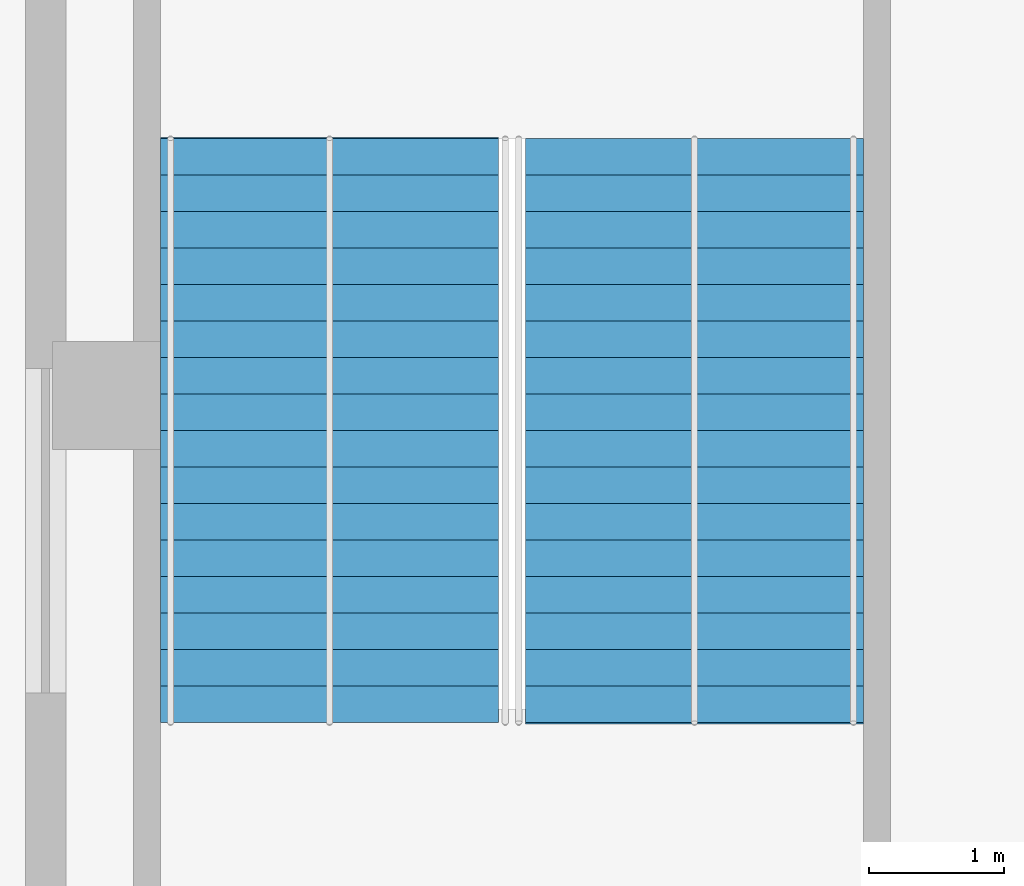
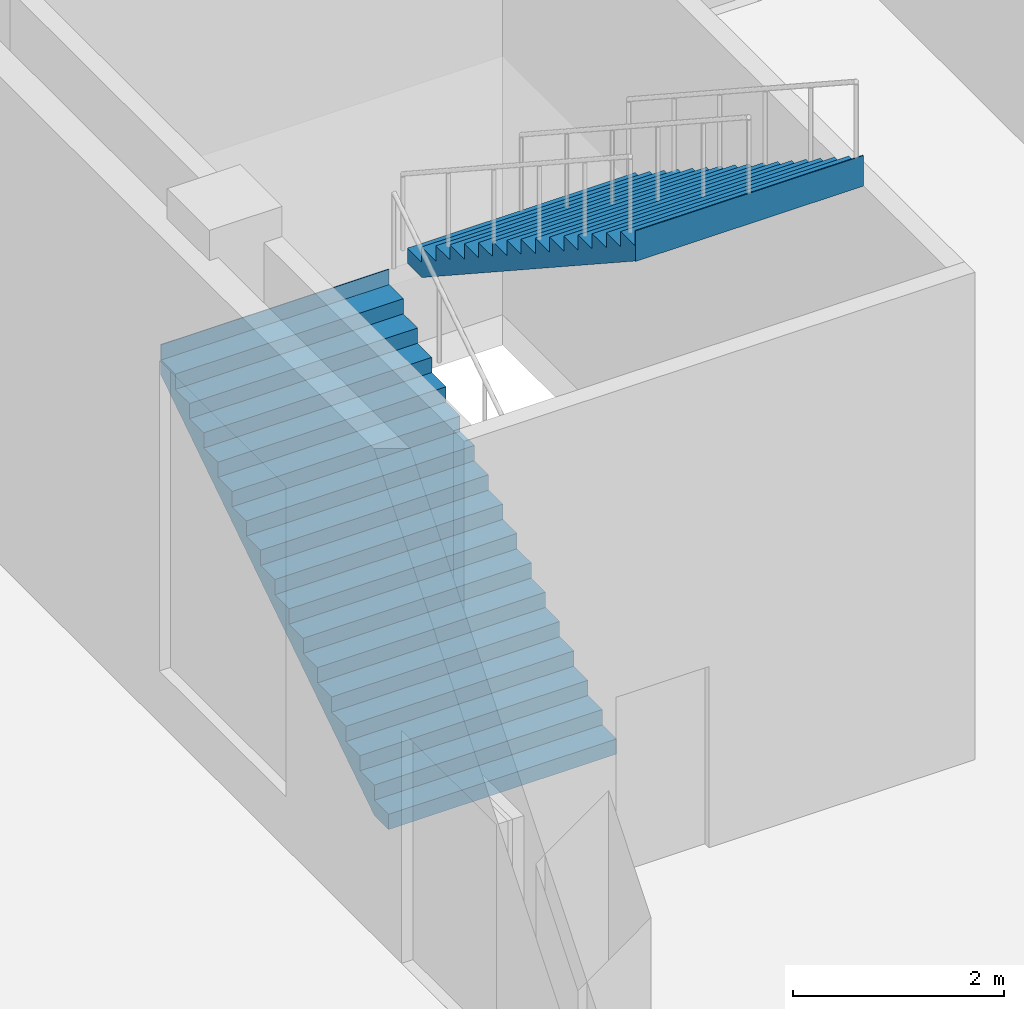
# One storey, part 6 of 8: 2 stair flights, 1 element without a shape of its own.
"""IFC4 building model written with IfcOpenShell, lengths in metres."""

import ifcopenshell
import ifcopenshell.guid

model = None  # the IFC model being written
_history = None  # IfcOwnerHistory: only IFC2X3 demands one
_inside = {}  # id of a spatial element -> (the spatial element, [elements in it])
_under = {}  # id of a project, library or spatial element -> (it, [spatial elements below it])
_declared = {}  # id of a project -> (the project, [libraries it declares])
_typed = {}  # id of a type object -> (the type object, [elements of that type])
_made_of = {}  # id of a material, layer set ... -> (it, [elements and type objects made of it])


def new_model(schema):
    """Start an empty IFC model of exactly this schema.

    Asked for "IFC4X3", IfcOpenShell would pick the latest addendum, in which some entities
    have other attributes; the version numbers below select the first issue.
    IFC2X3 requires an IfcOwnerHistory on every rooted entity: one is made here for all.
    """
    global model, _history
    if schema == "IFC4X3":
        model = ifcopenshell.file(schema_version=(4, 3, 0, 0))
    else:
        model = ifcopenshell.file(schema=schema)
    _inside.clear()
    _under.clear()
    _declared.clear()
    _typed.clear()
    _made_of.clear()
    _history = None
    if model.schema == "IFC2X3":
        org = make("IfcOrganization", Name="unknown")
        user = make(
            "IfcPersonAndOrganization",
            ThePerson=make("IfcPerson", FamilyName="unknown"),
            TheOrganization=org,
        )
        app = make(
            "IfcApplication",
            ApplicationDeveloper=org,
            Version="unknown",
            ApplicationFullName="unknown",
            ApplicationIdentifier="unknown",
        )
        _history = make(
            "IfcOwnerHistory",
            OwningUser=user,
            OwningApplication=app,
            ChangeAction="ADDED",
            CreationDate=0,
        )
    return model


def make(cls, **values):
    """One entity of the class cls with the attributes given. An attribute that is None is left unset."""
    return model.create_entity(
        cls, **{name: value for name, value in values.items() if value is not None}
    )


def rooted(cls, **values):
    """An entity with a GlobalId (a new one), such as an element, a storey or a relation."""
    return make(cls, GlobalId=ifcopenshell.guid.new(), OwnerHistory=_history, **values)


def si_unit(unit_type, name, prefix=None):
    """IfcSIUnit, for example si_unit("LENGTHUNIT", "METRE", prefix="MILLI")."""
    return make("IfcSIUnit", UnitType=unit_type, Prefix=prefix, Name=name)


def assignment(units):
    """IfcUnitAssignment: the units of a project."""
    return None if units is None else make("IfcUnitAssignment", Units=units)


def point(xyz):
    """IfcCartesianPoint."""
    return None if xyz is None else make("IfcCartesianPoint", Coordinates=xyz)


def direction(xyz):
    """IfcDirection."""
    return None if xyz is None else make("IfcDirection", DirectionRatios=xyz)


def frame(location, z_axis=None, x_axis=None):
    """IfcAxis2Placement3D, a coordinate frame: its origin and axes. An axis left out is left unset."""
    return make(
        "IfcAxis2Placement3D",
        Location=point(location),
        Axis=direction(z_axis),
        RefDirection=direction(x_axis),
    )


def origin():
    """The frame at (0, 0, 0) with its axes left unset."""
    return frame((0.0, 0.0, 0.0))


def place(relative_to, where):
    """IfcLocalPlacement: puts the frame where relative to a parent placement (None: the world)."""
    return make(
        "IfcLocalPlacement", PlacementRelTo=relative_to, RelativePlacement=where
    )


def context(
    kind, dimensions, precision=None, world=None, true_north=None, identifier=None
):
    """IfcGeometricRepresentationContext, for example the 3D "Model" context."""
    return make(
        "IfcGeometricRepresentationContext",
        ContextIdentifier=identifier,
        ContextType=kind,
        CoordinateSpaceDimension=dimensions,
        Precision=precision,
        WorldCoordinateSystem=world,
        TrueNorth=true_north,
    )


def subcontext(parent, identifier, kind, view, scale=None):
    """IfcGeometricRepresentationSubContext, for example "Body" below "Model"."""
    return make(
        "IfcGeometricRepresentationSubContext",
        ContextIdentifier=identifier,
        ContextType=kind,
        ParentContext=parent,
        TargetScale=scale,
        TargetView=view,
    )


def project(units=None, contexts=None):
    """IfcProject with its units and contexts."""
    return rooted(
        "IfcProject",
        Name="project",
        RepresentationContexts=contexts,
        UnitsInContext=assignment(units),
    )


def spatial(cls, under=None, at=None, **own):
    """A site, building, storey or space (cls), placed at a placement, below another one or the project."""
    s = rooted(cls, ObjectPlacement=at, **own)
    if under is not None:
        _under.setdefault(under.id(), (under, []))[1].append(s)
    return s


def faces_of(points, faces, orient=None, outer=None):
    """IfcFace entities. A face is a list of loops; a loop is a list of indices into points, from 0.

    orient and outer hold one flag for each loop. By default every Orientation is true, the
    first loop of a face is its IfcFaceOuterBound and the others are IfcFaceBound.
    """
    made = []
    for i, loops in enumerate(faces):
        bounds = []
        for j, loop in enumerate(loops):
            is_outer = j == 0 if outer is None else outer[i][j]
            bounds.append(
                make(
                    "IfcFaceOuterBound" if is_outer else "IfcFaceBound",
                    Bound=make("IfcPolyLoop", Polygon=[points[k] for k in loop]),
                    Orientation=True if orient is None else orient[i][j],
                )
            )
        made.append(make("IfcFace", Bounds=bounds))
    return made


def faceted_brep(points, faces, orient=None, outer=None, voids=None):
    """IfcFacetedBrep: a solid bounded by flat faces; with voids (closed shells), ...WithVoids."""
    shared = [point(p) for p in points]
    hull = make("IfcClosedShell", CfsFaces=faces_of(shared, faces, orient, outer))
    if voids is None:
        return make("IfcFacetedBrep", Outer=hull)
    return make(
        "IfcFacetedBrepWithVoids",
        Outer=hull,
        Voids=[
            make(cls, CfsFaces=faces_of(shared, fs, o, b)) for cls, fs, o, b in voids
        ],
    )


def shape(context_of_items, identifier, shape_type, items):
    """IfcShapeRepresentation: the items that make up one representation, for example the "Body"."""
    return make(
        "IfcShapeRepresentation",
        ContextOfItems=context_of_items,
        RepresentationIdentifier=identifier,
        RepresentationType=shape_type,
        Items=items,
    )


def material(Name=None, Category=None):
    """IfcMaterial."""
    return make("IfcMaterial", Name=Name, Category=Category)


def made_of(thing, what):
    """Note that an element or type object is made of a material, layer set ...; save() writes the relation."""
    if what is not None:
        _made_of.setdefault(what.id(), (what, []))[1].append(thing)
    return thing


def type_object(cls, material=None, **own):
    """A type object (cls), such as IfcWallType, which elements share."""
    return made_of(rooted(cls, **own), material)


def element(
    cls,
    number,
    at=None,
    inside=None,
    cuts=None,
    type_object=None,
    material=None,
    context=None,
    identifier="Body",
    shape_type=None,
    held_by="IfcProductDefinitionShape",
    body=None,
    shapes=None,
    **own,
):
    """One element of the class cls, such as IfcWall. Its Tag is "e" and its number.

    at: its placement. inside: the storey or other place that contains it. cuts: it is an
    opening in that element (IfcRelVoidsElement). A single representation is given by context,
    identifier, shape_type and body (its items); several are given by shapes. held_by: the class
    of the entity that holds the representations. save() writes the other relations.
    """
    e = rooted(cls, Tag="e%d" % number, ObjectPlacement=at, **own)
    if body is not None:
        shapes = [shape(context, identifier, shape_type, body)]
    if shapes is not None:
        e.Representation = make(held_by, Representations=shapes)
    if inside is not None:
        _inside.setdefault(inside.id(), (inside, []))[1].append(e)
    if cuts is not None:
        rooted(
            "IfcRelVoidsElement", RelatingBuildingElement=cuts, RelatedOpeningElement=e
        )
    if type_object is not None:
        _typed.setdefault(type_object.id(), (type_object, []))[1].append(e)
    return made_of(e, material)


def aggregate(whole, parts):
    """IfcRelAggregates: a whole, such as a stair, and the parts it consists of."""
    return rooted("IfcRelAggregates", RelatingObject=whole, RelatedObjects=parts)


def save(model, path):
    """Write the relations noted so far, then the file.

    IfcRelAggregates (storeys below a building ...), IfcRelContainedInSpatialStructure (elements
    in a storey), IfcRelDefinesByType, IfcRelAssociatesMaterial and IfcRelDeclares: one each for
    every whole, place, type object, material and project.
    """
    for whole, parts in _under.values():
        aggregate(whole, parts)
    for where, things in _inside.values():
        rooted(
            "IfcRelContainedInSpatialStructure",
            RelatedElements=things,
            RelatingStructure=where,
        )
    for kind, things in _typed.values():
        rooted("IfcRelDefinesByType", RelatedObjects=things, RelatingType=kind)
    for what, things in _made_of.values():
        rooted("IfcRelAssociatesMaterial", RelatedObjects=things, RelatingMaterial=what)
    for by, libraries in _declared.values():
        rooted("IfcRelDeclares", RelatingContext=by, RelatedDefinitions=libraries)
    model.write(path)


model = new_model("IFC4")

# Units and contexts
model_context = context("Model", 3, precision=1e-05, world=origin(), true_north=direction((0.0, 1.0)))
body_context = subcontext(model_context, "Body", "Model", "MODEL_VIEW")
ifc_project = project(units=[si_unit("LENGTHUNIT", "METRE"), si_unit("AREAUNIT", "SQUARE_METRE"), si_unit("VOLUMEUNIT", "CUBIC_METRE"), si_unit("PLANEANGLEUNIT", "RADIAN"), si_unit("MASSUNIT", "GRAM", prefix="KILO")], contexts=[model_context])

# Site, building, storey
site_placement = place(None, origin())
site = spatial("IfcSite", under=ifc_project, at=site_placement, CompositionType="ELEMENT")
building_placement = place(site_placement, origin())
building = spatial("IfcBuilding", under=site, at=building_placement, Name="Torsade Residences", CompositionType="ELEMENT")
storey_placement = place(building_placement, origin())
storey = spatial("IfcBuildingStorey", under=building, at=storey_placement, Name="L00", CompositionType="ELEMENT", Elevation=0.0)

# Stair, stair flights
ifc_material_1 = material(Name="Concrete 40 MPa", Category="concrete")
stair_type = type_object("IfcStairType", Name="HALF-TURN PODIUM STAIR 2500x6000", PredefinedType="HALF_TURN_STAIR", material=ifc_material_1)
stair_placement = place(storey_placement, origin())
stair = element("IfcStair", 1, at=stair_placement, inside=storey, type_object=stair_type, Name="Stair ST3 L00", PredefinedType="HALF_TURN_STAIR")
ifc_material_2 = material(Name="Concrete 40 MPa", Category="concrete")
stair_flight_type = type_object("IfcStairFlightType", Name="PODIUM STAIR FLIGHT 2500x3000", PredefinedType="STRAIGHT", material=ifc_material_2)
stair_flight_1_placement = place(storey_placement, frame((4.25, 46.580078125, 0.0), z_axis=(0.0, 0.0, 1.0), x_axis=(0.0, 1.0, 0.0)))
stair_flight_1 = element("IfcStairFlight", 2, at=stair_flight_1_placement, type_object=stair_flight_type, Name="ST3 flight 1", NumberOfRisers=17, NumberOfTreads=16, PredefinedType="STRAIGHT", RiserHeight=0.176470588, TreadLength=0.27, context=body_context, shape_type="Brep", body=[
    faceted_brep([(0.0, 1.25, 0.0), (0.0, 1.25, 0.176513671875), (0.27001953125, 1.25, 0.176513671875), (0.27001953125, 1.25, 0.35302734375), (0.5400390625, 1.25, 0.35302734375), (0.5400390625, 1.25, 0.529296875), (0.81005859375, 1.25, 0.529296875), (0.81005859375, 1.25, 0.705810546875), (1.080078125, 1.25, 0.705810546875), (1.080078125, 1.25, 0.88232421875), (1.35009765625, 1.25, 0.88232421875), (1.35009765625, 1.25, 1.058837890625), (1.6201171875, 1.25, 1.058837890625), (1.6201171875, 1.25, 1.2353515625), (1.889892578125, 1.25, 1.2353515625), (1.889892578125, 1.25, 1.411865234375), (2.159912109375, 1.25, 1.411865234375), (2.159912109375, 1.25, 1.588134765625), (2.429931640625, 1.25, 1.588134765625), (2.429931640625, 1.25, 1.7646484375), (2.699951171875, 1.25, 1.7646484375), (2.699951171875, 1.25, 1.941162109375), (2.969970703125, 1.25, 1.941162109375), (2.969970703125, 1.25, 2.11767578125), (3.239990234375, 1.25, 2.11767578125), (3.239990234375, 1.25, 2.294189453125), (3.510009765625, 1.25, 2.294189453125), (3.510009765625, 1.25, 2.470703125), (3.780029296875, 1.25, 2.470703125), (3.780029296875, 1.25, 2.64697265625), (4.050048828125, 1.25, 2.64697265625), (4.050048828125, 1.25, 2.823486328125), (4.320068359375, 1.25, 2.823486328125), (4.320068359375, 1.25, 3.0), (4.330078125, 1.25, 3.0), (4.330078125, 1.25, 2.64453125), (4.320068359375, 1.25, 2.64453125), (0.27392578125, 1.25, 0.0), (0.27392578125, -1.25, 0.0), (4.320068359375, -1.25, 2.64453125), (4.330078125, -1.25, 2.64453125), (4.330078125, -1.25, 3.0), (4.320068359375, -1.25, 3.0), (4.320068359375, -1.25, 2.823486328125), (4.050048828125, -1.25, 2.823486328125), (4.050048828125, -1.25, 2.64697265625), (3.780029296875, -1.25, 2.64697265625), (3.780029296875, -1.25, 2.470703125), (3.510009765625, -1.25, 2.470703125), (3.510009765625, -1.25, 2.294189453125), (3.239990234375, -1.25, 2.294189453125), (3.239990234375, -1.25, 2.11767578125), (2.969970703125, -1.25, 2.11767578125), (2.969970703125, -1.25, 1.941162109375), (2.699951171875, -1.25, 1.941162109375), (2.699951171875, -1.25, 1.7646484375), (2.429931640625, -1.25, 1.7646484375), (2.429931640625, -1.25, 1.588134765625), (2.159912109375, -1.25, 1.588134765625), (2.159912109375, -1.25, 1.411865234375), (1.889892578125, -1.25, 1.411865234375), (1.889892578125, -1.25, 1.2353515625), (1.6201171875, -1.25, 1.2353515625), (1.6201171875, -1.25, 1.058837890625), (1.35009765625, -1.25, 1.058837890625), (1.35009765625, -1.25, 0.88232421875), (1.080078125, -1.25, 0.88232421875), (1.080078125, -1.25, 0.705810546875), (0.81005859375, -1.25, 0.705810546875), (0.81005859375, -1.25, 0.529296875), (0.5400390625, -1.25, 0.529296875), (0.5400390625, -1.25, 0.35302734375), (0.27001953125, -1.25, 0.35302734375), (0.27001953125, -1.25, 0.176513671875), (0.0, -1.25, 0.176513671875), (0.0, -1.25, 0.0), (0.0, 0.75, 0.0), (0.0, 0.75, 0.176513671875), (0.0, 0.25, 0.0), (0.0, 0.25, 0.176513671875), (0.0, -0.25, 0.0), (0.0, -0.25, 0.176513671875), (0.0, -0.75, 0.0), (0.0, -0.75, 0.176513671875), (0.27001953125, 0.75, 0.176513671875), (0.27001953125, 0.25, 0.176513671875), (0.27001953125, -0.25, 0.176513671875), (0.27001953125, -0.75, 0.176513671875), (0.27001953125, 0.75, 0.35302734375), (0.27001953125, 0.25, 0.35302734375), (0.27001953125, -0.25, 0.35302734375), (0.27001953125, -0.75, 0.35302734375), (0.5400390625, 0.75, 0.35302734375), (0.5400390625, 0.25, 0.35302734375), (0.5400390625, -0.25, 0.35302734375), (0.5400390625, -0.75, 0.35302734375), (0.5400390625, 0.75, 0.529296875), (0.5400390625, 0.25, 0.529296875), (0.5400390625, -0.25, 0.529296875), (0.5400390625, -0.75, 0.529296875), (0.81005859375, 0.75, 0.529296875), (0.81005859375, 0.25, 0.529296875), (0.81005859375, -0.25, 0.529296875), (0.81005859375, -0.75, 0.529296875), (0.81005859375, 0.75, 0.705810546875), (0.81005859375, 0.25, 0.705810546875), (0.81005859375, -0.25, 0.705810546875), (0.81005859375, -0.75, 0.705810546875), (1.080078125, 0.75, 0.705810546875), (1.080078125, 0.25, 0.705810546875), (1.080078125, -0.25, 0.705810546875), (1.080078125, -0.75, 0.705810546875), (1.080078125, 0.75, 0.88232421875), (1.080078125, 0.25, 0.88232421875), (1.080078125, -0.25, 0.88232421875), (1.080078125, -0.75, 0.88232421875), (1.35009765625, 0.75, 0.88232421875), (1.35009765625, 0.25, 0.88232421875), (1.35009765625, -0.25, 0.88232421875), (1.35009765625, -0.75, 0.88232421875), (1.35009765625, 0.75, 1.058837890625), (1.35009765625, 0.25, 1.058837890625), (1.35009765625, -0.25, 1.058837890625), (1.35009765625, -0.75, 1.058837890625), (1.6201171875, 0.75, 1.058837890625), (1.6201171875, 0.25, 1.058837890625), (1.6201171875, -0.25, 1.058837890625), (1.6201171875, -0.75, 1.058837890625), (1.6201171875, 0.75, 1.2353515625), (1.6201171875, 0.25, 1.2353515625), (1.6201171875, -0.25, 1.2353515625), (1.6201171875, -0.75, 1.2353515625), (1.889892578125, 0.75, 1.2353515625), (1.889892578125, 0.25, 1.2353515625), (1.889892578125, -0.25, 1.2353515625), (1.889892578125, -0.75, 1.2353515625), (1.889892578125, 0.75, 1.411865234375), (1.889892578125, 0.25, 1.411865234375), (1.889892578125, -0.25, 1.411865234375), (1.889892578125, -0.75, 1.411865234375), (2.159912109375, 0.75, 1.411865234375), (2.159912109375, 0.25, 1.411865234375), (2.159912109375, -0.25, 1.411865234375), (2.159912109375, -0.75, 1.411865234375), (2.159912109375, 0.75, 1.588134765625), (2.159912109375, 0.25, 1.588134765625), (2.159912109375, -0.25, 1.588134765625), (2.159912109375, -0.75, 1.588134765625), (2.429931640625, 0.75, 1.588134765625), (2.429931640625, 0.25, 1.588134765625), (2.429931640625, -0.25, 1.588134765625), (2.429931640625, -0.75, 1.588134765625), (2.429931640625, 0.75, 1.7646484375), (2.429931640625, 0.25, 1.7646484375), (2.429931640625, -0.25, 1.7646484375), (2.429931640625, -0.75, 1.7646484375), (2.699951171875, 0.75, 1.7646484375), (2.699951171875, 0.25, 1.7646484375), (2.699951171875, -0.25, 1.7646484375), (2.699951171875, -0.75, 1.7646484375), (2.699951171875, 0.75, 1.941162109375), (2.699951171875, 0.25, 1.941162109375), (2.699951171875, -0.25, 1.941162109375), (2.699951171875, -0.75, 1.941162109375), (2.969970703125, 0.75, 1.941162109375), (2.969970703125, 0.25, 1.941162109375), (2.969970703125, -0.25, 1.941162109375), (2.969970703125, -0.75, 1.941162109375), (2.969970703125, 0.75, 2.11767578125), (2.969970703125, 0.25, 2.11767578125), (2.969970703125, -0.25, 2.11767578125), (2.969970703125, -0.75, 2.11767578125), (3.239990234375, 0.75, 2.11767578125), (3.239990234375, 0.25, 2.11767578125), (3.239990234375, -0.25, 2.11767578125), (3.239990234375, -0.75, 2.11767578125), (3.239990234375, 0.75, 2.294189453125), (3.239990234375, 0.25, 2.294189453125), (3.239990234375, -0.25, 2.294189453125), (3.239990234375, -0.75, 2.294189453125), (3.510009765625, 0.75, 2.294189453125), (3.510009765625, 0.25, 2.294189453125), (3.510009765625, -0.25, 2.294189453125), (3.510009765625, -0.75, 2.294189453125), (3.510009765625, 0.75, 2.470703125), (3.510009765625, 0.25, 2.470703125), (3.510009765625, -0.25, 2.470703125), (3.510009765625, -0.75, 2.470703125), (3.780029296875, 0.75, 2.470703125), (3.780029296875, 0.25, 2.470703125), (3.780029296875, -0.25, 2.470703125), (3.780029296875, -0.75, 2.470703125), (3.780029296875, 0.75, 2.64697265625), (3.780029296875, 0.25, 2.64697265625), (3.780029296875, -0.25, 2.64697265625), (3.780029296875, -0.75, 2.64697265625), (4.050048828125, 0.75, 2.64697265625), (4.050048828125, 0.25, 2.64697265625), (4.050048828125, -0.25, 2.64697265625), (4.050048828125, -0.75, 2.64697265625), (4.050048828125, 0.75, 2.823486328125), (4.050048828125, 0.25, 2.823486328125), (4.050048828125, -0.25, 2.823486328125), (4.050048828125, -0.75, 2.823486328125), (4.320068359375, 0.75, 2.823486328125), (4.320068359375, 0.25, 2.823486328125), (4.320068359375, -0.25, 2.823486328125), (4.320068359375, -0.75, 2.823486328125), (4.320068359375, 0.75, 3.0), (4.320068359375, 0.25, 3.0), (4.320068359375, -0.25, 3.0), (4.320068359375, -0.75, 3.0), (4.330078125, 0.75, 3.0), (4.330078125, 0.25, 3.0), (4.330078125, -0.25, 3.0), (4.330078125, -0.75, 3.0), (4.330078125, 0.75, 2.64453125), (4.330078125, 0.25, 2.64453125), (4.330078125, -0.25, 2.64453125), (4.330078125, -0.75, 2.64453125), (4.320068359375, 0.75, 2.64453125), (4.320068359375, 0.25, 2.64453125), (4.320068359375, -0.25, 2.64453125), (4.320068359375, -0.75, 2.64453125), (0.27392578125, 0.75, 0.0), (0.27392578125, 0.25, 0.0), (0.27392578125, -0.25, 0.0), (0.27392578125, -0.75, 0.0)], [[[0, 1, 2, 3, 4, 5, 6, 7, 8, 9, 10, 11, 12, 13, 14, 15, 16, 17, 18, 19, 20, 21, 22, 23, 24, 25, 26, 27, 28, 29, 30, 31, 32, 33, 34, 35, 36, 37]], [[38, 39, 40, 41, 42, 43, 44, 45, 46, 47, 48, 49, 50, 51, 52, 53, 54, 55, 56, 57, 58, 59, 60, 61, 62, 63, 64, 65, 66, 67, 68, 69, 70, 71, 72, 73, 74, 75]], [[76, 77, 1, 0]], [[78, 79, 77, 76]], [[80, 81, 79, 78]], [[82, 83, 81, 80]], [[75, 74, 83, 82]], [[77, 84, 2, 1]], [[79, 85, 84, 77]], [[81, 86, 85, 79]], [[83, 87, 86, 81]], [[74, 73, 87, 83]], [[84, 88, 3, 2]], [[85, 89, 88, 84]], [[86, 90, 89, 85]], [[87, 91, 90, 86]], [[73, 72, 91, 87]], [[88, 92, 4, 3]], [[89, 93, 92, 88]], [[90, 94, 93, 89]], [[91, 95, 94, 90]], [[72, 71, 95, 91]], [[92, 96, 5, 4]], [[93, 97, 96, 92]], [[94, 98, 97, 93]], [[95, 99, 98, 94]], [[71, 70, 99, 95]], [[96, 100, 6, 5]], [[97, 101, 100, 96]], [[98, 102, 101, 97]], [[99, 103, 102, 98]], [[70, 69, 103, 99]], [[100, 104, 7, 6]], [[101, 105, 104, 100]], [[102, 106, 105, 101]], [[103, 107, 106, 102]], [[69, 68, 107, 103]], [[104, 108, 8, 7]], [[105, 109, 108, 104]], [[106, 110, 109, 105]], [[107, 111, 110, 106]], [[68, 67, 111, 107]], [[108, 112, 9, 8]], [[109, 113, 112, 108]], [[110, 114, 113, 109]], [[111, 115, 114, 110]], [[67, 66, 115, 111]], [[112, 116, 10, 9]], [[113, 117, 116, 112]], [[114, 118, 117, 113]], [[115, 119, 118, 114]], [[66, 65, 119, 115]], [[116, 120, 11, 10]], [[117, 121, 120, 116]], [[118, 122, 121, 117]], [[119, 123, 122, 118]], [[65, 64, 123, 119]], [[120, 124, 12, 11]], [[121, 125, 124, 120]], [[122, 126, 125, 121]], [[123, 127, 126, 122]], [[64, 63, 127, 123]], [[124, 128, 13, 12]], [[125, 129, 128, 124]], [[126, 130, 129, 125]], [[127, 131, 130, 126]], [[63, 62, 131, 127]], [[128, 132, 14, 13]], [[129, 133, 132, 128]], [[130, 134, 133, 129]], [[131, 135, 134, 130]], [[62, 61, 135, 131]], [[132, 136, 15, 14]], [[133, 137, 136, 132]], [[134, 138, 137, 133]], [[135, 139, 138, 134]], [[61, 60, 139, 135]], [[136, 140, 16, 15]], [[137, 141, 140, 136]], [[138, 142, 141, 137]], [[139, 143, 142, 138]], [[60, 59, 143, 139]], [[140, 144, 17, 16]], [[141, 145, 144, 140]], [[142, 146, 145, 141]], [[143, 147, 146, 142]], [[59, 58, 147, 143]], [[144, 148, 18, 17]], [[145, 149, 148, 144]], [[146, 150, 149, 145]], [[147, 151, 150, 146]], [[58, 57, 151, 147]], [[148, 152, 19, 18]], [[149, 153, 152, 148]], [[150, 154, 153, 149]], [[151, 155, 154, 150]], [[57, 56, 155, 151]], [[152, 156, 20, 19]], [[153, 157, 156, 152]], [[154, 158, 157, 153]], [[155, 159, 158, 154]], [[56, 55, 159, 155]], [[156, 160, 21, 20]], [[157, 161, 160, 156]], [[158, 162, 161, 157]], [[159, 163, 162, 158]], [[55, 54, 163, 159]], [[160, 164, 22, 21]], [[161, 165, 164, 160]], [[162, 166, 165, 161]], [[163, 167, 166, 162]], [[54, 53, 167, 163]], [[164, 168, 23, 22]], [[165, 169, 168, 164]], [[166, 170, 169, 165]], [[167, 171, 170, 166]], [[53, 52, 171, 167]], [[168, 172, 24, 23]], [[169, 173, 172, 168]], [[170, 174, 173, 169]], [[171, 175, 174, 170]], [[52, 51, 175, 171]], [[172, 176, 25, 24]], [[173, 177, 176, 172]], [[174, 178, 177, 173]], [[175, 179, 178, 174]], [[51, 50, 179, 175]], [[176, 180, 26, 25]], [[177, 181, 180, 176]], [[178, 182, 181, 177]], [[179, 183, 182, 178]], [[50, 49, 183, 179]], [[180, 184, 27, 26]], [[181, 185, 184, 180]], [[182, 186, 185, 181]], [[183, 187, 186, 182]], [[49, 48, 187, 183]], [[184, 188, 28, 27]], [[185, 189, 188, 184]], [[186, 190, 189, 185]], [[187, 191, 190, 186]], [[48, 47, 191, 187]], [[188, 192, 29, 28]], [[189, 193, 192, 188]], [[190, 194, 193, 189]], [[191, 195, 194, 190]], [[47, 46, 195, 191]], [[192, 196, 30, 29]], [[193, 197, 196, 192]], [[194, 198, 197, 193]], [[195, 199, 198, 194]], [[46, 45, 199, 195]], [[196, 200, 31, 30]], [[197, 201, 200, 196]], [[198, 202, 201, 197]], [[199, 203, 202, 198]], [[45, 44, 203, 199]], [[200, 204, 32, 31]], [[201, 205, 204, 200]], [[202, 206, 205, 201]], [[203, 207, 206, 202]], [[44, 43, 207, 203]], [[204, 208, 33, 32]], [[205, 209, 208, 204]], [[206, 210, 209, 205]], [[207, 211, 210, 206]], [[43, 42, 211, 207]], [[208, 212, 34, 33]], [[209, 213, 212, 208]], [[210, 214, 213, 209]], [[211, 215, 214, 210]], [[42, 41, 215, 211]], [[212, 216, 35, 34]], [[213, 217, 216, 212]], [[214, 218, 217, 213]], [[215, 219, 218, 214]], [[41, 40, 219, 215]], [[216, 220, 36, 35]], [[217, 221, 220, 216]], [[218, 222, 221, 217]], [[219, 223, 222, 218]], [[40, 39, 223, 219]], [[220, 224, 37, 36]], [[221, 225, 224, 220]], [[222, 226, 225, 221]], [[223, 227, 226, 222]], [[39, 38, 227, 223]], [[224, 76, 0, 37]], [[225, 78, 76, 224]], [[226, 80, 78, 225]], [[227, 82, 80, 226]], [[38, 75, 82, 227]]]),
])
stair_flight_2_placement = place(storey_placement, frame((6.949951171875, 50.89990234375, 3.0), z_axis=(0.0, 0.0, 1.0), x_axis=(0.0, -1.0, 0.0)))
stair_flight_2 = element("IfcStairFlight", 3, at=stair_flight_2_placement, type_object=stair_flight_type, Name="ST3 flight 2", NumberOfRisers=17, NumberOfTreads=16, PredefinedType="STRAIGHT", RiserHeight=0.176470588, TreadLength=0.27, context=body_context, shape_type="Brep", body=[
    faceted_brep([(0.0, 1.25, 0.0), (0.0, 1.25, 0.176513671875), (0.27001953125, 1.25, 0.176513671875), (0.27001953125, 1.25, 0.35302734375), (0.5400390625, 1.25, 0.35302734375), (0.5400390625, 1.25, 0.529296875), (0.81005859375, 1.25, 0.529296875), (0.81005859375, 1.25, 0.705810546875), (1.080078125, 1.25, 0.705810546875), (1.080078125, 1.25, 0.88232421875), (1.35009765625, 1.25, 0.88232421875), (1.35009765625, 1.25, 1.058837890625), (1.6201171875, 1.25, 1.058837890625), (1.6201171875, 1.25, 1.2353515625), (1.889892578125, 1.25, 1.2353515625), (1.889892578125, 1.25, 1.411865234375), (2.159912109375, 1.25, 1.411865234375), (2.159912109375, 1.25, 1.588134765625), (2.429931640625, 1.25, 1.588134765625), (2.429931640625, 1.25, 1.7646484375), (2.699951171875, 1.25, 1.7646484375), (2.699951171875, 1.25, 1.941162109375), (2.969970703125, 1.25, 1.941162109375), (2.969970703125, 1.25, 2.11767578125), (3.239990234375, 1.25, 2.11767578125), (3.239990234375, 1.25, 2.294189453125), (3.510009765625, 1.25, 2.294189453125), (3.510009765625, 1.25, 2.470703125), (3.780029296875, 1.25, 2.470703125), (3.780029296875, 1.25, 2.64697265625), (4.050048828125, 1.25, 2.64697265625), (4.050048828125, 1.25, 2.823486328125), (4.320068359375, 1.25, 2.823486328125), (4.320068359375, 1.25, 3.0), (4.330078125, 1.25, 3.0), (4.330078125, 1.25, 2.64453125), (4.320068359375, 1.25, 2.64453125), (0.27392578125, 1.25, 0.0), (0.27392578125, -1.25, 0.0), (4.320068359375, -1.25, 2.64453125), (4.330078125, -1.25, 2.64453125), (4.330078125, -1.25, 3.0), (4.320068359375, -1.25, 3.0), (4.320068359375, -1.25, 2.823486328125), (4.050048828125, -1.25, 2.823486328125), (4.050048828125, -1.25, 2.64697265625), (3.780029296875, -1.25, 2.64697265625), (3.780029296875, -1.25, 2.470703125), (3.510009765625, -1.25, 2.470703125), (3.510009765625, -1.25, 2.294189453125), (3.239990234375, -1.25, 2.294189453125), (3.239990234375, -1.25, 2.11767578125), (2.969970703125, -1.25, 2.11767578125), (2.969970703125, -1.25, 1.941162109375), (2.699951171875, -1.25, 1.941162109375), (2.699951171875, -1.25, 1.7646484375), (2.429931640625, -1.25, 1.7646484375), (2.429931640625, -1.25, 1.588134765625), (2.159912109375, -1.25, 1.588134765625), (2.159912109375, -1.25, 1.411865234375), (1.889892578125, -1.25, 1.411865234375), (1.889892578125, -1.25, 1.2353515625), (1.6201171875, -1.25, 1.2353515625), (1.6201171875, -1.25, 1.058837890625), (1.35009765625, -1.25, 1.058837890625), (1.35009765625, -1.25, 0.88232421875), (1.080078125, -1.25, 0.88232421875), (1.080078125, -1.25, 0.705810546875), (0.81005859375, -1.25, 0.705810546875), (0.81005859375, -1.25, 0.529296875), (0.5400390625, -1.25, 0.529296875), (0.5400390625, -1.25, 0.35302734375), (0.27001953125, -1.25, 0.35302734375), (0.27001953125, -1.25, 0.176513671875), (0.0, -1.25, 0.176513671875), (0.0, -1.25, 0.0), (0.0, 0.75, 0.0), (0.0, 0.75, 0.176513671875), (0.0, 0.25, 0.0), (0.0, 0.25, 0.176513671875), (0.0, -0.25, 0.0), (0.0, -0.25, 0.176513671875), (0.0, -0.75, 0.0), (0.0, -0.75, 0.176513671875), (0.27001953125, 0.75, 0.176513671875), (0.27001953125, 0.25, 0.176513671875), (0.27001953125, -0.25, 0.176513671875), (0.27001953125, -0.75, 0.176513671875), (0.27001953125, 0.75, 0.35302734375), (0.27001953125, 0.25, 0.35302734375), (0.27001953125, -0.25, 0.35302734375), (0.27001953125, -0.75, 0.35302734375), (0.5400390625, 0.75, 0.35302734375), (0.5400390625, 0.25, 0.35302734375), (0.5400390625, -0.25, 0.35302734375), (0.5400390625, -0.75, 0.35302734375), (0.5400390625, 0.75, 0.529296875), (0.5400390625, 0.25, 0.529296875), (0.5400390625, -0.25, 0.529296875), (0.5400390625, -0.75, 0.529296875), (0.81005859375, 0.75, 0.529296875), (0.81005859375, 0.25, 0.529296875), (0.81005859375, -0.25, 0.529296875), (0.81005859375, -0.75, 0.529296875), (0.81005859375, 0.75, 0.705810546875), (0.81005859375, 0.25, 0.705810546875), (0.81005859375, -0.25, 0.705810546875), (0.81005859375, -0.75, 0.705810546875), (1.080078125, 0.75, 0.705810546875), (1.080078125, 0.25, 0.705810546875), (1.080078125, -0.25, 0.705810546875), (1.080078125, -0.75, 0.705810546875), (1.080078125, 0.75, 0.88232421875), (1.080078125, 0.25, 0.88232421875), (1.080078125, -0.25, 0.88232421875), (1.080078125, -0.75, 0.88232421875), (1.35009765625, 0.75, 0.88232421875), (1.35009765625, 0.25, 0.88232421875), (1.35009765625, -0.25, 0.88232421875), (1.35009765625, -0.75, 0.88232421875), (1.35009765625, 0.75, 1.058837890625), (1.35009765625, 0.25, 1.058837890625), (1.35009765625, -0.25, 1.058837890625), (1.35009765625, -0.75, 1.058837890625), (1.6201171875, 0.75, 1.058837890625), (1.6201171875, 0.25, 1.058837890625), (1.6201171875, -0.25, 1.058837890625), (1.6201171875, -0.75, 1.058837890625), (1.6201171875, 0.75, 1.2353515625), (1.6201171875, 0.25, 1.2353515625), (1.6201171875, -0.25, 1.2353515625), (1.6201171875, -0.75, 1.2353515625), (1.889892578125, 0.75, 1.2353515625), (1.889892578125, 0.25, 1.2353515625), (1.889892578125, -0.25, 1.2353515625), (1.889892578125, -0.75, 1.2353515625), (1.889892578125, 0.75, 1.411865234375), (1.889892578125, 0.25, 1.411865234375), (1.889892578125, -0.25, 1.411865234375), (1.889892578125, -0.75, 1.411865234375), (2.159912109375, 0.75, 1.411865234375), (2.159912109375, 0.25, 1.411865234375), (2.159912109375, -0.25, 1.411865234375), (2.159912109375, -0.75, 1.411865234375), (2.159912109375, 0.75, 1.588134765625), (2.159912109375, 0.25, 1.588134765625), (2.159912109375, -0.25, 1.588134765625), (2.159912109375, -0.75, 1.588134765625), (2.429931640625, 0.75, 1.588134765625), (2.429931640625, 0.25, 1.588134765625), (2.429931640625, -0.25, 1.588134765625), (2.429931640625, -0.75, 1.588134765625), (2.429931640625, 0.75, 1.7646484375), (2.429931640625, 0.25, 1.7646484375), (2.429931640625, -0.25, 1.7646484375), (2.429931640625, -0.75, 1.7646484375), (2.699951171875, 0.75, 1.7646484375), (2.699951171875, 0.25, 1.7646484375), (2.699951171875, -0.25, 1.7646484375), (2.699951171875, -0.75, 1.7646484375), (2.699951171875, 0.75, 1.941162109375), (2.699951171875, 0.25, 1.941162109375), (2.699951171875, -0.25, 1.941162109375), (2.699951171875, -0.75, 1.941162109375), (2.969970703125, 0.75, 1.941162109375), (2.969970703125, 0.25, 1.941162109375), (2.969970703125, -0.25, 1.941162109375), (2.969970703125, -0.75, 1.941162109375), (2.969970703125, 0.75, 2.11767578125), (2.969970703125, 0.25, 2.11767578125), (2.969970703125, -0.25, 2.11767578125), (2.969970703125, -0.75, 2.11767578125), (3.239990234375, 0.75, 2.11767578125), (3.239990234375, 0.25, 2.11767578125), (3.239990234375, -0.25, 2.11767578125), (3.239990234375, -0.75, 2.11767578125), (3.239990234375, 0.75, 2.294189453125), (3.239990234375, 0.25, 2.294189453125), (3.239990234375, -0.25, 2.294189453125), (3.239990234375, -0.75, 2.294189453125), (3.510009765625, 0.75, 2.294189453125), (3.510009765625, 0.25, 2.294189453125), (3.510009765625, -0.25, 2.294189453125), (3.510009765625, -0.75, 2.294189453125), (3.510009765625, 0.75, 2.470703125), (3.510009765625, 0.25, 2.470703125), (3.510009765625, -0.25, 2.470703125), (3.510009765625, -0.75, 2.470703125), (3.780029296875, 0.75, 2.470703125), (3.780029296875, 0.25, 2.470703125), (3.780029296875, -0.25, 2.470703125), (3.780029296875, -0.75, 2.470703125), (3.780029296875, 0.75, 2.64697265625), (3.780029296875, 0.25, 2.64697265625), (3.780029296875, -0.25, 2.64697265625), (3.780029296875, -0.75, 2.64697265625), (4.050048828125, 0.75, 2.64697265625), (4.050048828125, 0.25, 2.64697265625), (4.050048828125, -0.25, 2.64697265625), (4.050048828125, -0.75, 2.64697265625), (4.050048828125, 0.75, 2.823486328125), (4.050048828125, 0.25, 2.823486328125), (4.050048828125, -0.25, 2.823486328125), (4.050048828125, -0.75, 2.823486328125), (4.320068359375, 0.75, 2.823486328125), (4.320068359375, 0.25, 2.823486328125), (4.320068359375, -0.25, 2.823486328125), (4.320068359375, -0.75, 2.823486328125), (4.320068359375, 0.75, 3.0), (4.320068359375, 0.25, 3.0), (4.320068359375, -0.25, 3.0), (4.320068359375, -0.75, 3.0), (4.330078125, 0.75, 3.0), (4.330078125, 0.25, 3.0), (4.330078125, -0.25, 3.0), (4.330078125, -0.75, 3.0), (4.330078125, 0.75, 2.64453125), (4.330078125, 0.25, 2.64453125), (4.330078125, -0.25, 2.64453125), (4.330078125, -0.75, 2.64453125), (4.320068359375, 0.75, 2.64453125), (4.320068359375, 0.25, 2.64453125), (4.320068359375, -0.25, 2.64453125), (4.320068359375, -0.75, 2.64453125), (0.27392578125, 0.75, 0.0), (0.27392578125, 0.25, 0.0), (0.27392578125, -0.25, 0.0), (0.27392578125, -0.75, 0.0)], [[[0, 1, 2, 3, 4, 5, 6, 7, 8, 9, 10, 11, 12, 13, 14, 15, 16, 17, 18, 19, 20, 21, 22, 23, 24, 25, 26, 27, 28, 29, 30, 31, 32, 33, 34, 35, 36, 37]], [[38, 39, 40, 41, 42, 43, 44, 45, 46, 47, 48, 49, 50, 51, 52, 53, 54, 55, 56, 57, 58, 59, 60, 61, 62, 63, 64, 65, 66, 67, 68, 69, 70, 71, 72, 73, 74, 75]], [[76, 77, 1, 0]], [[78, 79, 77, 76]], [[80, 81, 79, 78]], [[82, 83, 81, 80]], [[75, 74, 83, 82]], [[77, 84, 2, 1]], [[79, 85, 84, 77]], [[81, 86, 85, 79]], [[83, 87, 86, 81]], [[74, 73, 87, 83]], [[84, 88, 3, 2]], [[85, 89, 88, 84]], [[86, 90, 89, 85]], [[87, 91, 90, 86]], [[73, 72, 91, 87]], [[88, 92, 4, 3]], [[89, 93, 92, 88]], [[90, 94, 93, 89]], [[91, 95, 94, 90]], [[72, 71, 95, 91]], [[92, 96, 5, 4]], [[93, 97, 96, 92]], [[94, 98, 97, 93]], [[95, 99, 98, 94]], [[71, 70, 99, 95]], [[96, 100, 6, 5]], [[97, 101, 100, 96]], [[98, 102, 101, 97]], [[99, 103, 102, 98]], [[70, 69, 103, 99]], [[100, 104, 7, 6]], [[101, 105, 104, 100]], [[102, 106, 105, 101]], [[103, 107, 106, 102]], [[69, 68, 107, 103]], [[104, 108, 8, 7]], [[105, 109, 108, 104]], [[106, 110, 109, 105]], [[107, 111, 110, 106]], [[68, 67, 111, 107]], [[108, 112, 9, 8]], [[109, 113, 112, 108]], [[110, 114, 113, 109]], [[111, 115, 114, 110]], [[67, 66, 115, 111]], [[112, 116, 10, 9]], [[113, 117, 116, 112]], [[114, 118, 117, 113]], [[115, 119, 118, 114]], [[66, 65, 119, 115]], [[116, 120, 11, 10]], [[117, 121, 120, 116]], [[118, 122, 121, 117]], [[119, 123, 122, 118]], [[65, 64, 123, 119]], [[120, 124, 12, 11]], [[121, 125, 124, 120]], [[122, 126, 125, 121]], [[123, 127, 126, 122]], [[64, 63, 127, 123]], [[124, 128, 13, 12]], [[125, 129, 128, 124]], [[126, 130, 129, 125]], [[127, 131, 130, 126]], [[63, 62, 131, 127]], [[128, 132, 14, 13]], [[129, 133, 132, 128]], [[130, 134, 133, 129]], [[131, 135, 134, 130]], [[62, 61, 135, 131]], [[132, 136, 15, 14]], [[133, 137, 136, 132]], [[134, 138, 137, 133]], [[135, 139, 138, 134]], [[61, 60, 139, 135]], [[136, 140, 16, 15]], [[137, 141, 140, 136]], [[138, 142, 141, 137]], [[139, 143, 142, 138]], [[60, 59, 143, 139]], [[140, 144, 17, 16]], [[141, 145, 144, 140]], [[142, 146, 145, 141]], [[143, 147, 146, 142]], [[59, 58, 147, 143]], [[144, 148, 18, 17]], [[145, 149, 148, 144]], [[146, 150, 149, 145]], [[147, 151, 150, 146]], [[58, 57, 151, 147]], [[148, 152, 19, 18]], [[149, 153, 152, 148]], [[150, 154, 153, 149]], [[151, 155, 154, 150]], [[57, 56, 155, 151]], [[152, 156, 20, 19]], [[153, 157, 156, 152]], [[154, 158, 157, 153]], [[155, 159, 158, 154]], [[56, 55, 159, 155]], [[156, 160, 21, 20]], [[157, 161, 160, 156]], [[158, 162, 161, 157]], [[159, 163, 162, 158]], [[55, 54, 163, 159]], [[160, 164, 22, 21]], [[161, 165, 164, 160]], [[162, 166, 165, 161]], [[163, 167, 166, 162]], [[54, 53, 167, 163]], [[164, 168, 23, 22]], [[165, 169, 168, 164]], [[166, 170, 169, 165]], [[167, 171, 170, 166]], [[53, 52, 171, 167]], [[168, 172, 24, 23]], [[169, 173, 172, 168]], [[170, 174, 173, 169]], [[171, 175, 174, 170]], [[52, 51, 175, 171]], [[172, 176, 25, 24]], [[173, 177, 176, 172]], [[174, 178, 177, 173]], [[175, 179, 178, 174]], [[51, 50, 179, 175]], [[176, 180, 26, 25]], [[177, 181, 180, 176]], [[178, 182, 181, 177]], [[179, 183, 182, 178]], [[50, 49, 183, 179]], [[180, 184, 27, 26]], [[181, 185, 184, 180]], [[182, 186, 185, 181]], [[183, 187, 186, 182]], [[49, 48, 187, 183]], [[184, 188, 28, 27]], [[185, 189, 188, 184]], [[186, 190, 189, 185]], [[187, 191, 190, 186]], [[48, 47, 191, 187]], [[188, 192, 29, 28]], [[189, 193, 192, 188]], [[190, 194, 193, 189]], [[191, 195, 194, 190]], [[47, 46, 195, 191]], [[192, 196, 30, 29]], [[193, 197, 196, 192]], [[194, 198, 197, 193]], [[195, 199, 198, 194]], [[46, 45, 199, 195]], [[196, 200, 31, 30]], [[197, 201, 200, 196]], [[198, 202, 201, 197]], [[199, 203, 202, 198]], [[45, 44, 203, 199]], [[200, 204, 32, 31]], [[201, 205, 204, 200]], [[202, 206, 205, 201]], [[203, 207, 206, 202]], [[44, 43, 207, 203]], [[204, 208, 33, 32]], [[205, 209, 208, 204]], [[206, 210, 209, 205]], [[207, 211, 210, 206]], [[43, 42, 211, 207]], [[208, 212, 34, 33]], [[209, 213, 212, 208]], [[210, 214, 213, 209]], [[211, 215, 214, 210]], [[42, 41, 215, 211]], [[212, 216, 35, 34]], [[213, 217, 216, 212]], [[214, 218, 217, 213]], [[215, 219, 218, 214]], [[41, 40, 219, 215]], [[216, 220, 36, 35]], [[217, 221, 220, 216]], [[218, 222, 221, 217]], [[219, 223, 222, 218]], [[40, 39, 223, 219]], [[220, 224, 37, 36]], [[221, 225, 224, 220]], [[222, 226, 225, 221]], [[223, 227, 226, 222]], [[39, 38, 227, 223]], [[224, 76, 0, 37]], [[225, 78, 76, 224]], [[226, 80, 78, 225]], [[227, 82, 80, 226]], [[38, 75, 82, 227]]]),
])
aggregate(stair, [stair_flight_1, stair_flight_2])

save(model, "model.ifc")
